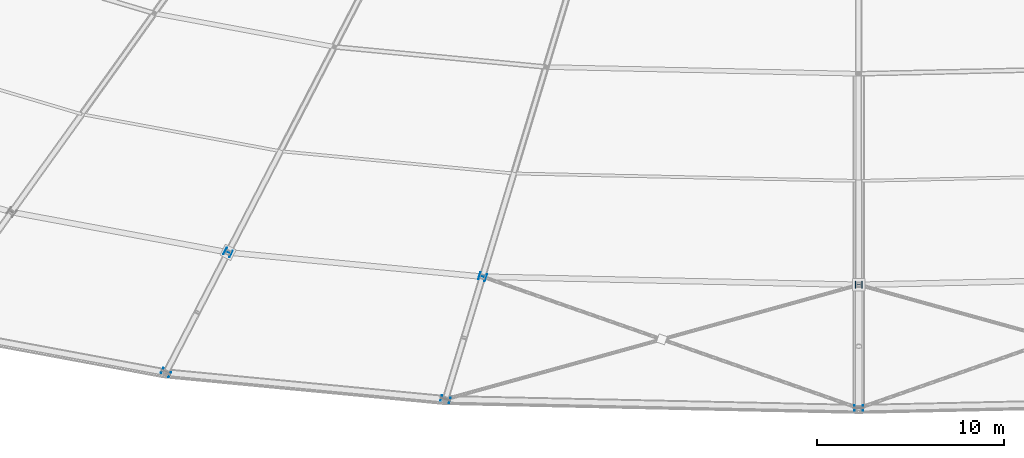
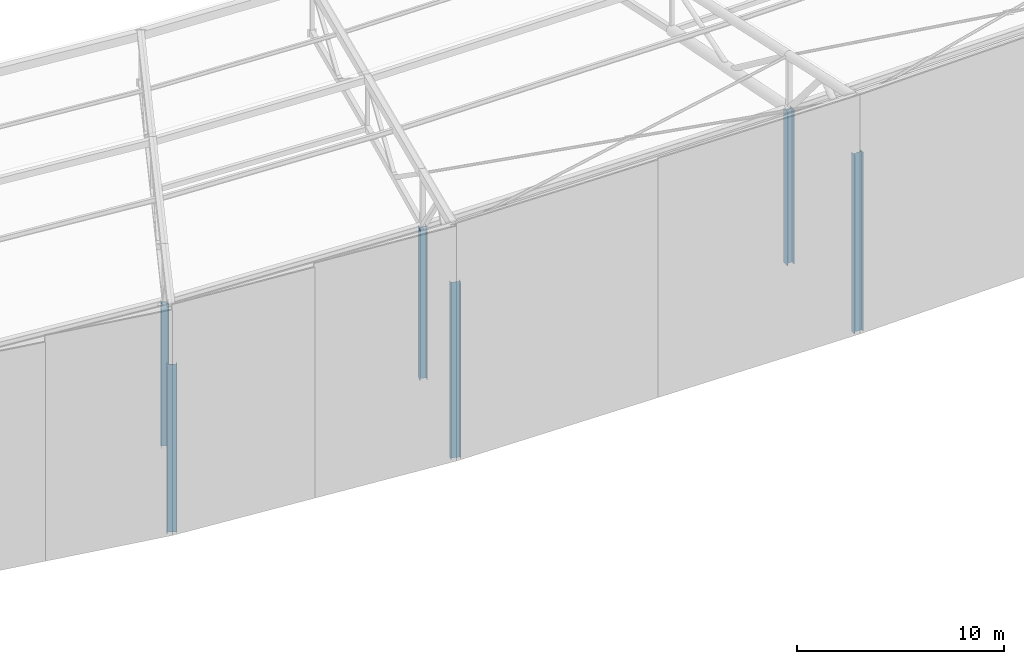
# One storey, part 4 of 143: 6 columns.
"""IFC4 building model written with IfcOpenShell, lengths in metres."""

from ifc_helpers import new_model, si_unit, direction, frame, origin, origin_2d, place, context, subcontext, project, spatial, i_section, extrude, material, material_profile, profile_set, type_object, element, save


model = new_model("IFC4")

# Units and contexts
model_context = context("Model", 3, precision=1e-05, world=origin(), true_north=direction((0.0, 1.0)))
body_context = subcontext(model_context, "Body", "Model", "MODEL_VIEW")
ifc_project = project(units=[si_unit("LENGTHUNIT", "METRE"), si_unit("AREAUNIT", "SQUARE_METRE"), si_unit("VOLUMEUNIT", "CUBIC_METRE"), si_unit("PLANEANGLEUNIT", "RADIAN"), si_unit("MASSUNIT", "GRAM", prefix="KILO")], contexts=[model_context])

# Site, building, storey
site_placement = place(None, origin())
site = spatial("IfcSite", under=ifc_project, at=site_placement, CompositionType="ELEMENT")
building_placement = place(site_placement, origin())
building = spatial("IfcBuilding", under=site, at=building_placement, Name="Mphavela Belvedere Stadium", CompositionType="ELEMENT")
storey_placement = place(building_placement, frame((0.0, 0.0, 28.800048828125)))
storey = spatial("IfcBuildingStorey", under=building, at=storey_placement, Name="RF", CompositionType="ELEMENT", Elevation=28.800048828125)

# Columns
ifc_material_1 = material(Name="Steel S355", Category="steel")
ifc_material_profile_1 = material_profile(ifc_material_1, i_section(OverallWidth=0.39501953125, OverallDepth=0.3798828125, WebThickness=0.0166015625, FlangeThickness=0.02587890625, at=origin_2d()), Name="HD 400x237")
ifc_profile_set_1 = profile_set([ifc_material_profile_1], Name="Steel S355")
column_type_1 = type_object("IfcColumnType", Name="COL-STEEL-HD400", PredefinedType="COLUMN", material=ifc_profile_set_1)
column_1_placement = place(storey_placement, frame((81.249755859375, 21.66455078125, 0.0), z_axis=(0.0, 0.0, 1.0), x_axis=(-0.458959712465, -0.888457079624, 0.0)))
element("IfcColumn", 1, at=column_1_placement, inside=storey, type_object=column_type_1, Name="Roof truss inner support column RF R3-35", PredefinedType="COLUMN", context=body_context, shape_type="SweptSolid", body=[
    extrude(i_section(OverallWidth=0.39501953125, OverallDepth=0.3798828125, WebThickness=0.0166015625, FlangeThickness=0.02587890625, at=origin_2d()), origin(), (0.0, 0.0, 1.0), 8.485595703125),
])
column_2_placement = place(storey_placement, frame((94.8671875, 20.365966796875, 0.0), z_axis=(0.0, 0.0, 1.0), x_axis=(-0.289198876314, -0.957269037387, 0.0)))
element("IfcColumn", 2, at=column_2_placement, inside=storey, type_object=column_type_1, Name="Roof truss inner support column RF R3-36", PredefinedType="COLUMN", context=body_context, shape_type="SweptSolid", body=[
    extrude(i_section(OverallWidth=0.39501953125, OverallDepth=0.3798828125, WebThickness=0.0166015625, FlangeThickness=0.02587890625, at=origin_2d()), origin(), (0.0, 0.0, 1.0), 8.922119140625),
])
column_3_placement = place(storey_placement, frame((115.0, 19.9326171875, 0.0), z_axis=(0.0, 0.0, 1.0), x_axis=(0.0, -1.0, 0.0)))
element("IfcColumn", 3, at=column_3_placement, inside=storey, type_object=column_type_1, Name="Roof truss inner support column RF R3-37", PredefinedType="COLUMN", context=body_context, shape_type="SweptSolid", body=[
    extrude(i_section(OverallWidth=0.39501953125, OverallDepth=0.3798828125, WebThickness=0.0166015625, FlangeThickness=0.02587890625, at=origin_2d()), origin(), (0.0, 0.0, 1.0), 9.071044921875),
])
ifc_material_2 = material(Name="Steel S355", Category="steel")
ifc_material_profile_2 = material_profile(ifc_material_2, i_section(OverallWidth=0.300048828125, OverallDepth=0.5, WebThickness=0.014404296875, FlangeThickness=0.028076171875, at=origin_2d()), Name="HEB 500")
ifc_profile_set_2 = profile_set([ifc_material_profile_2], Name="Steel S355")
column_type_2 = type_object("IfcColumnType", Name="COL-STEEL-HEB500", PredefinedType="COLUMN", material=ifc_profile_set_2)
column_4_placement = place(storey_placement, frame((77.92724609375, 15.232666015625, 0.0), z_axis=(0.0, 0.0, 1.0), x_axis=(-0.458959712465, -0.888457079624, 0.0)))
element("IfcColumn", 4, at=column_4_placement, inside=storey, type_object=column_type_2, Name="Roof truss outer tie-down column RF R4-35", PredefinedType="COLUMN", context=body_context, shape_type="SweptSolid", body=[
    extrude(i_section(OverallWidth=0.300048828125, OverallDepth=0.5, WebThickness=0.014404296875, FlangeThickness=0.028076171875, at=origin_2d()), origin(), (0.0, 0.0, 1.0), 9.867919921875),
])
column_5_placement = place(storey_placement, frame((92.885498046875, 13.80615234375, 0.0), z_axis=(0.0, 0.0, 1.0), x_axis=(-0.289198876314, -0.957269037387, 0.0)))
element("IfcColumn", 5, at=column_5_placement, inside=storey, type_object=column_type_2, Name="Roof truss outer tie-down column RF R4-36", PredefinedType="COLUMN", context=body_context, shape_type="SweptSolid", body=[
    extrude(i_section(OverallWidth=0.300048828125, OverallDepth=0.5, WebThickness=0.014404296875, FlangeThickness=0.028076171875, at=origin_2d()), origin(), (0.0, 0.0, 1.0), 10.347412109375),
])
column_6_placement = place(storey_placement, frame((115.0, 13.330078125, 0.0), z_axis=(0.0, 0.0, 1.0), x_axis=(0.0, -1.0, 0.0)))
element("IfcColumn", 6, at=column_6_placement, inside=storey, type_object=column_type_2, Name="Roof truss outer tie-down column RF R4-37", PredefinedType="COLUMN", context=body_context, shape_type="SweptSolid", body=[
    extrude(i_section(OverallWidth=0.300048828125, OverallDepth=0.5, WebThickness=0.014404296875, FlangeThickness=0.028076171875, at=origin_2d()), origin(), (0.0, 0.0, 1.0), 10.510986328125),
])

save(model, "model.ifc")
